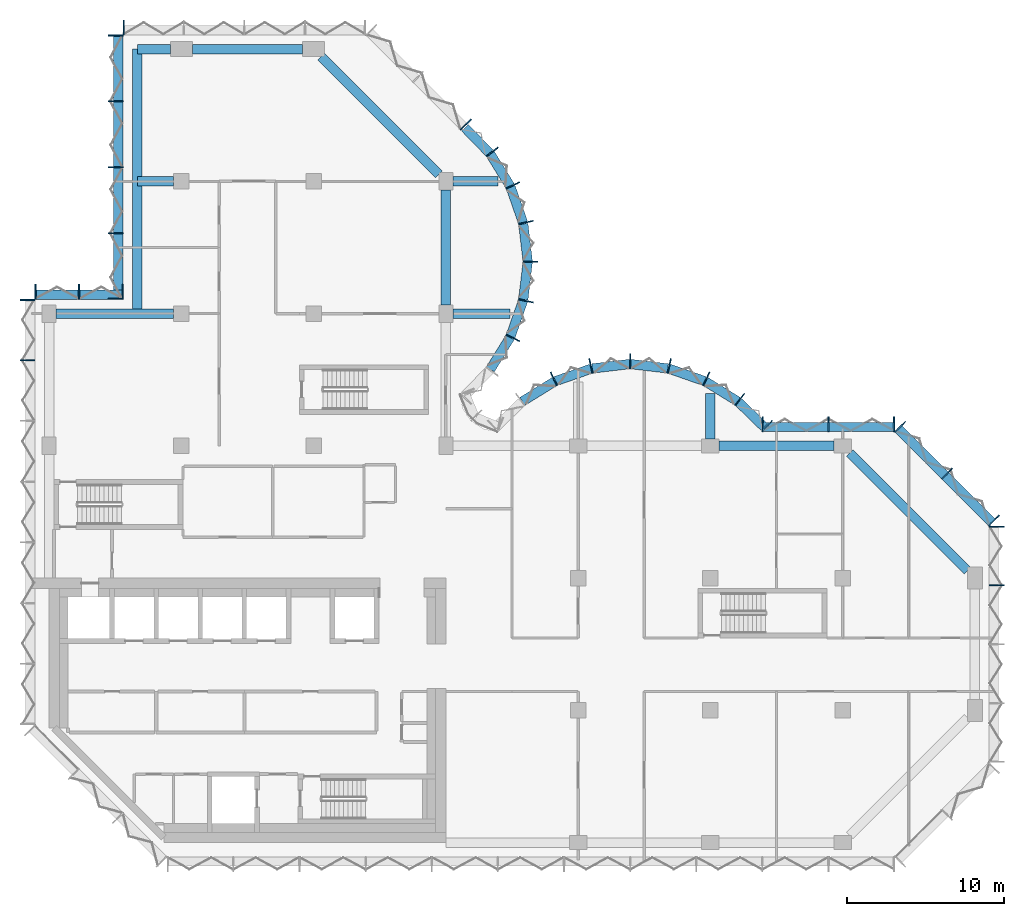
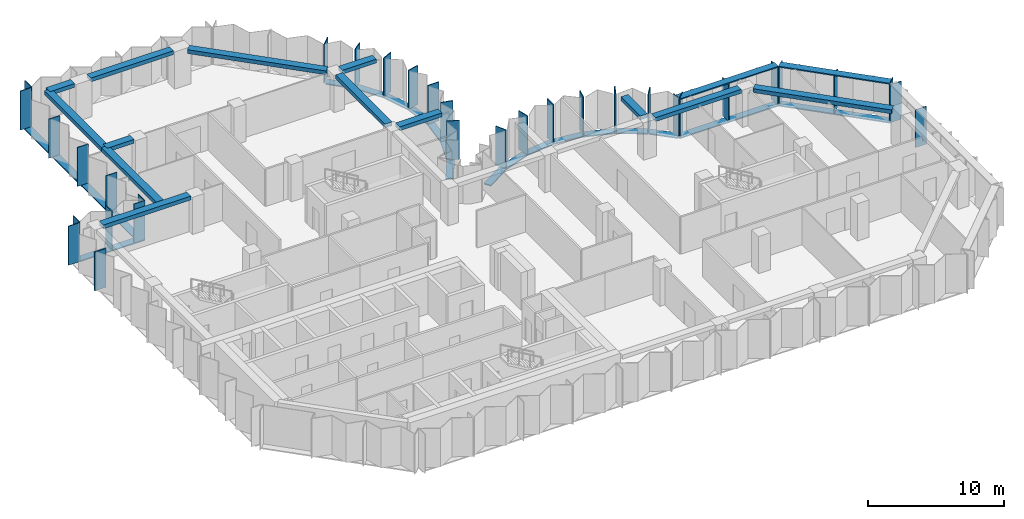
# One storey, part 2 of 10: 53 members, 13 beams, 9 elements without a shape of their own.
"""IFC4 building model written with IfcOpenShell, lengths in metres."""

from ifc_helpers import new_model, si_unit, direction, frame, origin, origin_2d, place, context, subcontext, project, spatial, rectangle, extrude, material, material_profile, profile_set, type_object, element, aggregate, save


model = new_model("IFC4")

# Units and contexts
model_context = context("Model", 3, precision=1e-05, world=origin(), true_north=direction((0.0, 1.0)))
body_context = subcontext(model_context, "Body", "Model", "MODEL_VIEW")
ifc_project = project(units=[si_unit("LENGTHUNIT", "METRE"), si_unit("AREAUNIT", "SQUARE_METRE"), si_unit("VOLUMEUNIT", "CUBIC_METRE"), si_unit("PLANEANGLEUNIT", "RADIAN"), si_unit("MASSUNIT", "GRAM", prefix="KILO")], contexts=[model_context])

# Site, building, storey
site_placement = place(None, origin())
site = spatial("IfcSite", under=ifc_project, at=site_placement, CompositionType="ELEMENT")
building_placement = place(site_placement, origin())
building = spatial("IfcBuilding", under=site, at=building_placement, Name="Brevane Broadcast Tower", CompositionType="ELEMENT")
storey_placement = place(building_placement, frame((0.0, 0.0, 181.199951171875)))
storey = spatial("IfcBuildingStorey", under=building, at=storey_placement, Name="L45", CompositionType="ELEMENT", Elevation=181.199951171875)

# Curtain wall, members
ifc_material_1 = material(Name="Aluminium 6063-T6 bronze anodised", Category="aluminium")
curtain_wall_type = type_object("IfcCurtainWallType", Name="CW-1 curtain wall", PredefinedType="NOTDEFINED", material=ifc_material_1)
curtain_wall_1_placement = place(storey_placement, origin())
curtain_wall_1 = element("IfcCurtainWall", 1, at=curtain_wall_1_placement, inside=storey, type_object=curtain_wall_type, Name="CW-1 typical tilted unit L45 east end", PredefinedType="NOTDEFINED")
ifc_material_profile_1 = material_profile(ifc_material_1, rectangle(XDim=0.949951171875, YDim=0.070068359375, at=origin_2d()), Name="RECT 70x950")
ifc_profile_set_1 = profile_set([ifc_material_profile_1], Name="Aluminium 6063-T6 bronze anodised")
member_type_1 = type_object("IfcMemberType", Name="CW-1 mullion 70x950", PredefinedType="MULLION", material=ifc_profile_set_1)
member_1_placement = place(storey_placement, frame((60.175048828125, 16.35009765625, -0.14990234375), z_axis=(0.0, 0.0, 1.0), x_axis=(-1.0, 0.0, 0.0)))
member_1 = element("IfcMember", 2, at=member_1_placement, type_object=member_type_1, Name="CW-1 mullion", PredefinedType="MULLION", context=body_context, shape_type="SweptSolid", body=[
    extrude(rectangle(XDim=0.949951171875, YDim=0.070068359375, at=origin_2d()), origin(), (0.0, 0.0, 1.0), 3.39990234375),
])
member_2_placement = place(storey_placement, frame((60.175048828125, 20.06494140625, -0.14990234375), z_axis=(0.0, 0.0, 1.0), x_axis=(-1.0, 0.0, 0.0)))
member_2 = element("IfcMember", 3, at=member_2_placement, type_object=member_type_1, Name="CW-1 mullion", PredefinedType="MULLION", context=body_context, shape_type="SweptSolid", body=[
    extrude(rectangle(XDim=0.949951171875, YDim=0.070068359375, at=origin_2d()), origin(), (0.0, 0.0, 1.0), 3.39990234375),
])
aggregate(curtain_wall_1, [member_1, member_2])

curtain_wall_2_placement = place(storey_placement, origin())
curtain_wall_2 = element("IfcCurtainWall", 4, at=curtain_wall_2_placement, inside=storey, type_object=curtain_wall_type, Name="CW-1 typical tilted unit L45 north-east chamfer", PredefinedType="NOTDEFINED")
member_3_placement = place(storey_placement, frame((60.01123046875, 20.460693359375, -0.14990234375), z_axis=(0.0, 0.0, 1.0), x_axis=(-0.707106781187, -0.707106781187, 0.0)))
member_3 = element("IfcMember", 5, at=member_3_placement, type_object=member_type_1, Name="CW-1 mullion", PredefinedType="MULLION", context=body_context, shape_type="SweptSolid", body=[
    extrude(rectangle(XDim=0.949951171875, YDim=0.070068359375, at=origin_2d()), origin(), (0.0, 0.0, 1.0), 3.39990234375),
])
member_4_placement = place(storey_placement, frame((57.035888671875, 23.435791015625, -0.14990234375), z_axis=(0.0, 0.0, 1.0), x_axis=(-0.707106781187, -0.707106781187, 0.0)))
member_4 = element("IfcMember", 6, at=member_4_placement, type_object=member_type_1, Name="CW-1 mullion", PredefinedType="MULLION", context=body_context, shape_type="SweptSolid", body=[
    extrude(rectangle(XDim=0.949951171875, YDim=0.070068359375, at=origin_2d()), origin(), (0.0, 0.0, 1.0), 3.39990234375),
])
member_5_placement = place(storey_placement, frame((54.060546875, 26.4111328125, -0.14990234375), z_axis=(0.0, 0.0, 1.0), x_axis=(-0.707106781187, -0.707106781187, 0.0)))
member_5 = element("IfcMember", 7, at=member_5_placement, type_object=member_type_1, Name="CW-1 mullion", PredefinedType="MULLION", context=body_context, shape_type="SweptSolid", body=[
    extrude(rectangle(XDim=0.949951171875, YDim=0.070068359375, at=origin_2d()), origin(), (0.0, 0.0, 1.0), 3.39990234375),
])

curtain_wall_3_placement = place(storey_placement, origin())
curtain_wall_3 = element("IfcCurtainWall", 8, at=curtain_wall_3_placement, inside=storey, type_object=curtain_wall_type, Name="CW-1 typical tilted unit L45 east arm north face", PredefinedType="NOTDEFINED")
member_6_placement = place(storey_placement, frame((53.6650390625, 26.574951171875, -0.14990234375), z_axis=(0.0, 0.0, 1.0), x_axis=(0.0, -1.0, 0.0)))
member_6 = element("IfcMember", 9, at=member_6_placement, type_object=member_type_1, Name="CW-1 mullion", PredefinedType="MULLION", context=body_context, shape_type="SweptSolid", body=[
    extrude(rectangle(XDim=0.949951171875, YDim=0.070068359375, at=origin_2d()), origin(), (0.0, 0.0, 1.0), 3.39990234375),
])
member_7_placement = place(storey_placement, frame((49.5, 26.574951171875, -0.14990234375), z_axis=(0.0, 0.0, 1.0), x_axis=(0.0, -1.0, 0.0)))
member_7 = element("IfcMember", 10, at=member_7_placement, type_object=member_type_1, Name="CW-1 mullion", PredefinedType="MULLION", context=body_context, shape_type="SweptSolid", body=[
    extrude(rectangle(XDim=0.949951171875, YDim=0.070068359375, at=origin_2d()), origin(), (0.0, 0.0, 1.0), 3.39990234375),
])
member_8_placement = place(storey_placement, frame((45.3349609375, 26.574951171875, -0.14990234375), z_axis=(0.0, 0.0, 1.0), x_axis=(0.0, -1.0, 0.0)))
member_8 = element("IfcMember", 11, at=member_8_placement, type_object=member_type_1, Name="CW-1 mullion", PredefinedType="MULLION", context=body_context, shape_type="SweptSolid", body=[
    extrude(rectangle(XDim=0.949951171875, YDim=0.070068359375, at=origin_2d()), origin(), (0.0, 0.0, 1.0), 3.39990234375),
])

curtain_wall_4_placement = place(storey_placement, origin())
curtain_wall_4 = element("IfcCurtainWall", 12, at=curtain_wall_4_placement, inside=storey, type_object=curtain_wall_type, Name="CW-1 typical tilted unit L45 east bow", PredefinedType="NOTDEFINED")
member_9_placement = place(storey_placement, frame((45.60595703125, 26.465087890625, -0.14990234375), z_axis=(0.0, 0.0, 1.0), x_axis=(-0.696812089895, -0.717253728729, 0.0)))
member_9 = element("IfcMember", 13, at=member_9_placement, type_object=member_type_1, Name="CW-1 mullion", PredefinedType="MULLION", context=body_context, shape_type="SweptSolid", body=[
    extrude(rectangle(XDim=0.949951171875, YDim=0.070068359375, at=origin_2d()), origin(), (0.0, 0.0, 1.0), 3.5),
])
member_10_placement = place(storey_placement, frame((43.8720703125, 28.1455078125, -0.14990234375), z_axis=(0.0, 0.0, 1.0), x_axis=(-0.614769698862, -0.788706673841, 0.0)))
member_10 = element("IfcMember", 14, at=member_10_placement, type_object=member_type_1, Name="CW-1 mullion", PredefinedType="MULLION", context=body_context, shape_type="SweptSolid", body=[
    extrude(rectangle(XDim=0.949951171875, YDim=0.070068359375, at=origin_2d()), origin(), (0.0, 0.0, 1.0), 3.5),
])
member_11_placement = place(storey_placement, frame((41.746826171875, 29.4580078125, -0.14990234375), z_axis=(0.0, 0.0, 1.0), x_axis=(-0.429933580394, -0.902860518823, 0.0)))
member_11 = element("IfcMember", 15, at=member_11_placement, type_object=member_type_1, Name="CW-1 mullion", PredefinedType="MULLION", context=body_context, shape_type="SweptSolid", body=[
    extrude(rectangle(XDim=0.949951171875, YDim=0.070068359375, at=origin_2d()), origin(), (0.0, 0.0, 1.0), 3.5),
])
member_12_placement = place(storey_placement, frame((39.38818359375, 30.28076171875, -0.14990234375), z_axis=(0.0, 0.0, 1.0), x_axis=(-0.224806535479, -0.974403418306, 0.0)))
member_12 = element("IfcMember", 16, at=member_12_placement, type_object=member_type_1, Name="CW-1 mullion", PredefinedType="MULLION", context=body_context, shape_type="SweptSolid", body=[
    extrude(rectangle(XDim=0.949951171875, YDim=0.070068359375, at=origin_2d()), origin(), (0.0, 0.0, 1.0), 3.5),
])
member_13_placement = place(storey_placement, frame((36.89990234375, 30.574951171875, -0.14990234375), z_axis=(0.0, 0.0, 1.0), x_axis=(0.0, -1.0, 0.0)))
member_13 = element("IfcMember", 17, at=member_13_placement, type_object=member_type_1, Name="CW-1 mullion", PredefinedType="MULLION", context=body_context, shape_type="SweptSolid", body=[
    extrude(rectangle(XDim=0.949951171875, YDim=0.070068359375, at=origin_2d()), origin(), (0.0, 0.0, 1.0), 3.5),
])
member_14_placement = place(storey_placement, frame((34.411865234375, 30.28076171875, -0.14990234375), z_axis=(0.0, 0.0, 1.0), x_axis=(0.224806535479, -0.974403418306, 0.0)))
member_14 = element("IfcMember", 18, at=member_14_placement, type_object=member_type_1, Name="CW-1 mullion", PredefinedType="MULLION", context=body_context, shape_type="SweptSolid", body=[
    extrude(rectangle(XDim=0.949951171875, YDim=0.070068359375, at=origin_2d()), origin(), (0.0, 0.0, 1.0), 3.5),
])
member_15_placement = place(storey_placement, frame((32.05322265625, 29.4580078125, -0.14990234375), z_axis=(0.0, 0.0, 1.0), x_axis=(0.429933580394, -0.902860518823, 0.0)))
member_15 = element("IfcMember", 19, at=member_15_placement, type_object=member_type_1, Name="CW-1 mullion", PredefinedType="MULLION", context=body_context, shape_type="SweptSolid", body=[
    extrude(rectangle(XDim=0.949951171875, YDim=0.070068359375, at=origin_2d()), origin(), (0.0, 0.0, 1.0), 3.5),
])

curtain_wall_5_placement = place(storey_placement, origin())
curtain_wall_5 = element("IfcCurtainWall", 20, at=curtain_wall_5_placement, inside=storey, type_object=curtain_wall_type, Name="CW-1 typical tilted unit L45 north bow", PredefinedType="NOTDEFINED")
member_16_placement = place(storey_placement, frame((29.4580078125, 32.05322265625, -0.14990234375), z_axis=(0.0, 0.0, 1.0), x_axis=(-0.902860518823, 0.429933580394, 0.0)))
member_16 = element("IfcMember", 21, at=member_16_placement, type_object=member_type_1, Name="CW-1 mullion", PredefinedType="MULLION", context=body_context, shape_type="SweptSolid", body=[
    extrude(rectangle(XDim=0.949951171875, YDim=0.070068359375, at=origin_2d()), origin(), (0.0, 0.0, 1.0), 3.5),
])
member_17_placement = place(storey_placement, frame((30.28076171875, 34.411865234375, -0.14990234375), z_axis=(0.0, 0.0, 1.0), x_axis=(-0.974403418306, 0.224806535479, 0.0)))
member_17 = element("IfcMember", 22, at=member_17_placement, type_object=member_type_1, Name="CW-1 mullion", PredefinedType="MULLION", context=body_context, shape_type="SweptSolid", body=[
    extrude(rectangle(XDim=0.949951171875, YDim=0.070068359375, at=origin_2d()), origin(), (0.0, 0.0, 1.0), 3.5),
])
member_18_placement = place(storey_placement, frame((30.574951171875, 36.89990234375, -0.14990234375), z_axis=(0.0, 0.0, 1.0), x_axis=(-1.0, 0.0, 0.0)))
member_18 = element("IfcMember", 23, at=member_18_placement, type_object=member_type_1, Name="CW-1 mullion", PredefinedType="MULLION", context=body_context, shape_type="SweptSolid", body=[
    extrude(rectangle(XDim=0.949951171875, YDim=0.070068359375, at=origin_2d()), origin(), (0.0, 0.0, 1.0), 3.5),
])
member_19_placement = place(storey_placement, frame((30.28076171875, 39.38818359375, -0.14990234375), z_axis=(0.0, 0.0, 1.0), x_axis=(-0.974403418306, -0.224806535479, 0.0)))
member_19 = element("IfcMember", 24, at=member_19_placement, type_object=member_type_1, Name="CW-1 mullion", PredefinedType="MULLION", context=body_context, shape_type="SweptSolid", body=[
    extrude(rectangle(XDim=0.949951171875, YDim=0.070068359375, at=origin_2d()), origin(), (0.0, 0.0, 1.0), 3.5),
])
member_20_placement = place(storey_placement, frame((29.4580078125, 41.746826171875, -0.14990234375), z_axis=(0.0, 0.0, 1.0), x_axis=(-0.902860518823, -0.429933580394, 0.0)))
member_20 = element("IfcMember", 25, at=member_20_placement, type_object=member_type_1, Name="CW-1 mullion", PredefinedType="MULLION", context=body_context, shape_type="SweptSolid", body=[
    extrude(rectangle(XDim=0.949951171875, YDim=0.070068359375, at=origin_2d()), origin(), (0.0, 0.0, 1.0), 3.5),
])
member_21_placement = place(storey_placement, frame((28.1455078125, 43.8720703125, -0.14990234375), z_axis=(0.0, 0.0, 1.0), x_axis=(-0.788706673841, -0.614769698862, 0.0)))
member_21 = element("IfcMember", 26, at=member_21_placement, type_object=member_type_1, Name="CW-1 mullion", PredefinedType="MULLION", context=body_context, shape_type="SweptSolid", body=[
    extrude(rectangle(XDim=0.949951171875, YDim=0.070068359375, at=origin_2d()), origin(), (0.0, 0.0, 1.0), 3.5),
])
member_22_placement = place(storey_placement, frame((26.465087890625, 45.60595703125, -0.14990234375), z_axis=(0.0, 0.0, 1.0), x_axis=(-0.717253728729, -0.696812089895, 0.0)))
member_22 = element("IfcMember", 27, at=member_22_placement, type_object=member_type_1, Name="CW-1 mullion", PredefinedType="MULLION", context=body_context, shape_type="SweptSolid", body=[
    extrude(rectangle(XDim=0.949951171875, YDim=0.070068359375, at=origin_2d()), origin(), (0.0, 0.0, 1.0), 3.5),
])

# Curtain wall, member
curtain_wall_6_placement = place(storey_placement, origin())
curtain_wall_6 = element("IfcCurtainWall", 28, at=curtain_wall_6_placement, inside=storey, type_object=curtain_wall_type, Name="CW-1 typical tilted unit L45 north end", PredefinedType="NOTDEFINED")
member_23_placement = place(storey_placement, frame((4.735107421875, 51.77490234375, -0.14990234375), z_axis=(0.0, 0.0, 1.0), x_axis=(0.0, -1.0, 0.0)))
member_23 = element("IfcMember", 29, at=member_23_placement, type_object=member_type_1, Name="CW-1 mullion", PredefinedType="MULLION", context=body_context, shape_type="SweptSolid", body=[
    extrude(rectangle(XDim=0.949951171875, YDim=0.070068359375, at=origin_2d()), origin(), (0.0, 0.0, 1.0), 3.5),
])
aggregate(curtain_wall_6, [member_23])

# Curtain wall, members
curtain_wall_7_placement = place(storey_placement, origin())
curtain_wall_7 = element("IfcCurtainWall", 30, at=curtain_wall_7_placement, inside=storey, type_object=curtain_wall_type, Name="CW-1 typical tilted unit L45 north wing west face, lower block", PredefinedType="NOTDEFINED")
member_24_placement = place(storey_placement, frame((4.22509765625, 51.264892578125, -0.14990234375), z_axis=(0.0, 0.0, 1.0), x_axis=(1.0, 0.0, 0.0)))
member_24 = element("IfcMember", 31, at=member_24_placement, type_object=member_type_1, Name="CW-1 mullion", PredefinedType="MULLION", context=body_context, shape_type="SweptSolid", body=[
    extrude(rectangle(XDim=0.949951171875, YDim=0.070068359375, at=origin_2d()), origin(), (0.0, 0.0, 1.0), 3.5),
])
member_25_placement = place(storey_placement, frame((4.22509765625, 47.10009765625, -0.14990234375), z_axis=(0.0, 0.0, 1.0), x_axis=(1.0, 0.0, 0.0)))
member_25 = element("IfcMember", 32, at=member_25_placement, type_object=member_type_1, Name="CW-1 mullion", PredefinedType="MULLION", context=body_context, shape_type="SweptSolid", body=[
    extrude(rectangle(XDim=0.949951171875, YDim=0.070068359375, at=origin_2d()), origin(), (0.0, 0.0, 1.0), 3.5),
])
member_26_placement = place(storey_placement, frame((4.22509765625, 42.89990234375, -0.14990234375), z_axis=(0.0, 0.0, 1.0), x_axis=(1.0, 0.0, 0.0)))
member_26 = element("IfcMember", 33, at=member_26_placement, type_object=member_type_1, Name="CW-1 mullion", PredefinedType="MULLION", context=body_context, shape_type="SweptSolid", body=[
    extrude(rectangle(XDim=0.949951171875, YDim=0.070068359375, at=origin_2d()), origin(), (0.0, 0.0, 1.0), 3.5),
])
member_27_placement = place(storey_placement, frame((4.22509765625, 38.699951171875, -0.14990234375), z_axis=(0.0, 0.0, 1.0), x_axis=(1.0, 0.0, 0.0)))
member_27 = element("IfcMember", 34, at=member_27_placement, type_object=member_type_1, Name="CW-1 mullion", PredefinedType="MULLION", context=body_context, shape_type="SweptSolid", body=[
    extrude(rectangle(XDim=0.949951171875, YDim=0.070068359375, at=origin_2d()), origin(), (0.0, 0.0, 1.0), 3.5),
])
member_28_placement = place(storey_placement, frame((4.22509765625, 34.534912109375, -0.14990234375), z_axis=(0.0, 0.0, 1.0), x_axis=(1.0, 0.0, 0.0)))
member_28 = element("IfcMember", 35, at=member_28_placement, type_object=member_type_1, Name="CW-1 mullion", PredefinedType="MULLION", context=body_context, shape_type="SweptSolid", body=[
    extrude(rectangle(XDim=0.949951171875, YDim=0.070068359375, at=origin_2d()), origin(), (0.0, 0.0, 1.0), 3.5),
])

curtain_wall_8_placement = place(storey_placement, origin())
curtain_wall_8 = element("IfcCurtainWall", 36, at=curtain_wall_8_placement, inside=storey, type_object=curtain_wall_type, Name="CW-1 typical tilted unit L45 north wing west return, lower block", PredefinedType="NOTDEFINED")
member_29_placement = place(storey_placement, frame((4.6650390625, 34.97509765625, -0.14990234375), z_axis=(0.0, 0.0, 1.0), x_axis=(0.0, -1.0, 0.0)))
member_29 = element("IfcMember", 37, at=member_29_placement, type_object=member_type_1, Name="CW-1 mullion", PredefinedType="MULLION", context=body_context, shape_type="SweptSolid", body=[
    extrude(rectangle(XDim=0.949951171875, YDim=0.070068359375, at=origin_2d()), origin(), (0.0, 0.0, 1.0), 3.5),
])
member_30_placement = place(storey_placement, frame((1.89990234375, 34.97509765625, -0.14990234375), z_axis=(0.0, 0.0, 1.0), x_axis=(0.0, -1.0, 0.0)))
member_30 = element("IfcMember", 38, at=member_30_placement, type_object=member_type_1, Name="CW-1 mullion", PredefinedType="MULLION", context=body_context, shape_type="SweptSolid", body=[
    extrude(rectangle(XDim=0.949951171875, YDim=0.070068359375, at=origin_2d()), origin(), (0.0, 0.0, 1.0), 3.5),
])
member_31_placement = place(storey_placement, frame((-0.864990234375, 34.97509765625, -0.14990234375), z_axis=(0.0, 0.0, 1.0), x_axis=(0.0, -1.0, 0.0)))
member_31 = element("IfcMember", 39, at=member_31_placement, type_object=member_type_1, Name="CW-1 mullion", PredefinedType="MULLION", context=body_context, shape_type="SweptSolid", body=[
    extrude(rectangle(XDim=0.949951171875, YDim=0.070068359375, at=origin_2d()), origin(), (0.0, 0.0, 1.0), 3.5),
])

curtain_wall_9_placement = place(storey_placement, origin())
curtain_wall_9 = element("IfcCurtainWall", 40, at=curtain_wall_9_placement, inside=storey, type_object=curtain_wall_type, Name="CW-1 typical tilted unit L45 west face", PredefinedType="NOTDEFINED")
member_32_placement = place(storey_placement, frame((-1.375, 34.465087890625, -0.14990234375), z_axis=(0.0, 0.0, 1.0), x_axis=(1.0, 0.0, 0.0)))
member_32 = element("IfcMember", 41, at=member_32_placement, type_object=member_type_1, Name="CW-1 mullion", PredefinedType="MULLION", context=body_context, shape_type="SweptSolid", body=[
    extrude(rectangle(XDim=0.949951171875, YDim=0.070068359375, at=origin_2d()), origin(), (0.0, 0.0, 1.0), 3.5),
])
member_33_placement = place(storey_placement, frame((-1.375, 30.642822265625, -0.14990234375), z_axis=(0.0, 0.0, 1.0), x_axis=(1.0, 0.0, 0.0)))
member_33 = element("IfcMember", 42, at=member_33_placement, type_object=member_type_1, Name="CW-1 mullion", PredefinedType="MULLION", context=body_context, shape_type="SweptSolid", body=[
    extrude(rectangle(XDim=0.949951171875, YDim=0.070068359375, at=origin_2d()), origin(), (0.0, 0.0, 1.0), 3.5),
])
aggregate(curtain_wall_9, [member_32, member_33])

# Member
ifc_material_profile_2 = material_profile(ifc_material_1, rectangle(XDim=0.60009765625, YDim=0.10009765625, at=origin_2d()), Name="RECT 100x600")
ifc_profile_set_2 = profile_set([ifc_material_profile_2], Name="Aluminium 6063-T6 bronze anodised")
member_type_2 = type_object("IfcMemberType", Name="CW-1 transom 100x600", PredefinedType="USERDEFINED", material=ifc_profile_set_2)
member_34_placement = place(storey_placement, frame((59.912109375, 20.31201171875, -0.199951171875), z_axis=(-0.707106781187, 0.707106781187, 0.0), x_axis=(-0.707106781187, -0.707106781187, 0.0)))
member_34 = element("IfcMember", 43, at=member_34_placement, type_object=member_type_2, Name="CW-1 transom", ObjectType="TRANSOM", PredefinedType="USERDEFINED", context=body_context, shape_type="SweptSolid", body=[
    extrude(rectangle(XDim=0.60009765625, YDim=0.10009765625, at=origin_2d()), origin(), (0.0, 0.0, 1.0), 8.4853515625),
])

member_35_placement = place(storey_placement, frame((59.912109375, 20.31201171875, 3.300048828125), z_axis=(-0.707106781187, 0.707106781187, 0.0), x_axis=(-0.707106781187, -0.707106781187, 0.0)))
member_35 = element("IfcMember", 44, at=member_35_placement, type_object=member_type_2, Name="CW-1 transom", ObjectType="TRANSOM", PredefinedType="USERDEFINED", context=body_context, shape_type="SweptSolid", body=[
    extrude(rectangle(XDim=0.60009765625, YDim=0.10009765625, at=origin_2d()), origin(), (0.0, 0.0, 1.0), 8.4853515625),
])

aggregate(curtain_wall_2, [member_3, member_4, member_5, member_34, member_35])

member_36_placement = place(storey_placement, frame((53.699951171875, 26.39990234375, -0.199951171875), z_axis=(-1.0, 0.0, 0.0), x_axis=(0.0, -1.0, 0.0)))
member_36 = element("IfcMember", 45, at=member_36_placement, type_object=member_type_2, Name="CW-1 transom", ObjectType="TRANSOM", PredefinedType="USERDEFINED", context=body_context, shape_type="SweptSolid", body=[
    extrude(rectangle(XDim=0.60009765625, YDim=0.10009765625, at=origin_2d()), origin(), (0.0, 0.0, 1.0), 8.39990234375),
])

member_37_placement = place(storey_placement, frame((53.699951171875, 26.39990234375, 3.300048828125), z_axis=(-1.0, 0.0, 0.0), x_axis=(0.0, -1.0, 0.0)))
member_37 = element("IfcMember", 46, at=member_37_placement, type_object=member_type_2, Name="CW-1 transom", ObjectType="TRANSOM", PredefinedType="USERDEFINED", context=body_context, shape_type="SweptSolid", body=[
    extrude(rectangle(XDim=0.60009765625, YDim=0.10009765625, at=origin_2d()), origin(), (0.0, 0.0, 1.0), 8.39990234375),
])

aggregate(curtain_wall_3, [member_6, member_7, member_8, member_36, member_37])

member_38_placement = place(storey_placement, frame((45.412841796875, 26.407958984375, -0.199951171875), z_axis=(-0.71724215871, 0.696823999134, 0.0), x_axis=(-0.696823999134, -0.71724215871, 0.0)))
member_38 = element("IfcMember", 47, at=member_38_placement, type_object=member_type_2, Name="CW-1 transom", ObjectType="TRANSOM", PredefinedType="USERDEFINED", context=body_context, shape_type="SweptSolid", body=[
    extrude(rectangle(XDim=0.60009765625, YDim=0.10009765625, at=origin_2d()), origin(), (0.0, 0.0, 1.0), 2.247802734375),
])

member_39_placement = place(storey_placement, frame((43.7421875, 28.023193359375, -0.199951171875), z_axis=(-0.850810063131, 0.525473345162, 0.0), x_axis=(-0.525473345162, -0.850810063131, 0.0)))
member_39 = element("IfcMember", 48, at=member_39_placement, type_object=member_type_2, Name="CW-1 transom", ObjectType="TRANSOM", PredefinedType="USERDEFINED", context=body_context, shape_type="SweptSolid", body=[
    extrude(rectangle(XDim=0.60009765625, YDim=0.10009765625, at=origin_2d()), origin(), (0.0, 0.0, 1.0), 2.39453125),
])

member_40_placement = place(storey_placement, frame((41.63623046875, 29.314208984375, -0.199951171875), z_axis=(-0.944197969542, 0.329378497041, 0.0), x_axis=(-0.329378497041, -0.944197969542, 0.0)))
member_40 = element("IfcMember", 49, at=member_40_placement, type_object=member_type_2, Name="CW-1 transom", ObjectType="TRANSOM", PredefinedType="USERDEFINED", context=body_context, shape_type="SweptSolid", body=[
    extrude(rectangle(XDim=0.60009765625, YDim=0.10009765625, at=origin_2d()), origin(), (0.0, 0.0, 1.0), 2.394775390625),
])

member_41_placement = place(storey_placement, frame((39.30029296875, 30.117431640625, -0.199951171875), z_axis=(-0.993062061831, 0.117591417, 0.0), x_axis=(-0.117591417, -0.993062061831, 0.0)))
member_41 = element("IfcMember", 50, at=member_41_placement, type_object=member_type_2, Name="CW-1 transom", ObjectType="TRANSOM", PredefinedType="USERDEFINED", context=body_context, shape_type="SweptSolid", body=[
    extrude(rectangle(XDim=0.60009765625, YDim=0.10009765625, at=origin_2d()), origin(), (0.0, 0.0, 1.0), 2.39794921875),
])

member_42_placement = place(storey_placement, frame((36.880859375, 30.3994140625, -0.199951171875), z_axis=(-0.993060653805, -0.117603307202, 0.0), x_axis=(0.117603307202, -0.993060653805, 0.0)))
member_42 = element("IfcMember", 51, at=member_42_placement, type_object=member_type_2, Name="CW-1 transom", ObjectType="TRANSOM", PredefinedType="USERDEFINED", context=body_context, shape_type="SweptSolid", body=[
    extrude(rectangle(XDim=0.60009765625, YDim=0.10009765625, at=origin_2d()), origin(), (0.0, 0.0, 1.0), 2.397705078125),
])

member_43_placement = place(storey_placement, frame((34.425048828125, 30.10302734375, -0.199951171875), z_axis=(-0.944197969542, -0.329378497041, 0.0), x_axis=(0.329378497041, -0.944197969542, 0.0)))
member_43 = element("IfcMember", 52, at=member_43_placement, type_object=member_type_2, Name="CW-1 transom", ObjectType="TRANSOM", PredefinedType="USERDEFINED", context=body_context, shape_type="SweptSolid", body=[
    extrude(rectangle(XDim=0.60009765625, YDim=0.10009765625, at=origin_2d()), origin(), (0.0, 0.0, 1.0), 2.394775390625),
])

member_44_placement = place(storey_placement, frame((32.09521484375, 29.281494140625, -0.199951171875), z_axis=(-0.850838211365, -0.525427766759, 0.0), x_axis=(0.525427766759, -0.850838211365, 0.0)))
member_44 = element("IfcMember", 53, at=member_44_placement, type_object=member_type_2, Name="CW-1 transom", ObjectType="TRANSOM", PredefinedType="USERDEFINED", context=body_context, shape_type="SweptSolid", body=[
    extrude(rectangle(XDim=0.60009765625, YDim=0.10009765625, at=origin_2d()), origin(), (0.0, 0.0, 1.0), 2.394775390625),
])

aggregate(curtain_wall_4, [member_9, member_10, member_11, member_12, member_13, member_14, member_15, member_38, member_39, member_40, member_41, member_42, member_43, member_44])

member_45_placement = place(storey_placement, frame((28.023193359375, 30.0576171875, -0.199951171875), z_axis=(0.525427766759, 0.850838211365, 0.0), x_axis=(-0.850838211365, 0.525427766759, 0.0)))
member_45 = element("IfcMember", 54, at=member_45_placement, type_object=member_type_2, Name="CW-1 transom", ObjectType="TRANSOM", PredefinedType="USERDEFINED", context=body_context, shape_type="SweptSolid", body=[
    extrude(rectangle(XDim=0.60009765625, YDim=0.10009765625, at=origin_2d()), origin(), (0.0, 0.0, 1.0), 2.394775390625),
])

member_46_placement = place(storey_placement, frame((29.314208984375, 32.163818359375, -0.199951171875), z_axis=(0.329378497041, 0.944197969542, 0.0), x_axis=(-0.944197969542, 0.329378497041, 0.0)))
member_46 = element("IfcMember", 55, at=member_46_placement, type_object=member_type_2, Name="CW-1 transom", ObjectType="TRANSOM", PredefinedType="USERDEFINED", context=body_context, shape_type="SweptSolid", body=[
    extrude(rectangle(XDim=0.60009765625, YDim=0.10009765625, at=origin_2d()), origin(), (0.0, 0.0, 1.0), 2.394775390625),
])

member_47_placement = place(storey_placement, frame((30.117431640625, 34.499755859375, -0.199951171875), z_axis=(0.117603307202, 0.993060653805, 0.0), x_axis=(-0.993060653805, 0.117603307202, 0.0)))
member_47 = element("IfcMember", 56, at=member_47_placement, type_object=member_type_2, Name="CW-1 transom", ObjectType="TRANSOM", PredefinedType="USERDEFINED", context=body_context, shape_type="SweptSolid", body=[
    extrude(rectangle(XDim=0.60009765625, YDim=0.10009765625, at=origin_2d()), origin(), (0.0, 0.0, 1.0), 2.397705078125),
])

member_48_placement = place(storey_placement, frame((30.3994140625, 36.9189453125, -0.199951171875), z_axis=(-0.117591417, 0.993062061831, 0.0), x_axis=(-0.993062061831, -0.117591417, 0.0)))
member_48 = element("IfcMember", 57, at=member_48_placement, type_object=member_type_2, Name="CW-1 transom", ObjectType="TRANSOM", PredefinedType="USERDEFINED", context=body_context, shape_type="SweptSolid", body=[
    extrude(rectangle(XDim=0.60009765625, YDim=0.10009765625, at=origin_2d()), origin(), (0.0, 0.0, 1.0), 2.39794921875),
])

member_49_placement = place(storey_placement, frame((30.10302734375, 39.375, -0.199951171875), z_axis=(-0.329378497041, 0.944197969542, 0.0), x_axis=(-0.944197969542, -0.329378497041, 0.0)))
member_49 = element("IfcMember", 58, at=member_49_placement, type_object=member_type_2, Name="CW-1 transom", ObjectType="TRANSOM", PredefinedType="USERDEFINED", context=body_context, shape_type="SweptSolid", body=[
    extrude(rectangle(XDim=0.60009765625, YDim=0.10009765625, at=origin_2d()), origin(), (0.0, 0.0, 1.0), 2.394775390625),
])

member_50_placement = place(storey_placement, frame((29.281494140625, 41.704833984375, -0.199951171875), z_axis=(-0.525473345162, 0.850810063131, 0.0), x_axis=(-0.850810063131, -0.525473345162, 0.0)))
member_50 = element("IfcMember", 59, at=member_50_placement, type_object=member_type_2, Name="CW-1 transom", ObjectType="TRANSOM", PredefinedType="USERDEFINED", context=body_context, shape_type="SweptSolid", body=[
    extrude(rectangle(XDim=0.60009765625, YDim=0.10009765625, at=origin_2d()), origin(), (0.0, 0.0, 1.0), 2.39453125),
])

member_51_placement = place(storey_placement, frame((27.974365234375, 43.800537109375, -0.199951171875), z_axis=(-0.696823999134, 0.71724215871, 0.0), x_axis=(-0.71724215871, -0.696823999134, 0.0)))
member_51 = element("IfcMember", 60, at=member_51_placement, type_object=member_type_2, Name="CW-1 transom", ObjectType="TRANSOM", PredefinedType="USERDEFINED", context=body_context, shape_type="SweptSolid", body=[
    extrude(rectangle(XDim=0.60009765625, YDim=0.10009765625, at=origin_2d()), origin(), (0.0, 0.0, 1.0), 2.247802734375),
])

aggregate(curtain_wall_5, [member_16, member_17, member_18, member_19, member_20, member_21, member_22, member_45, member_46, member_47, member_48, member_49, member_50, member_51])

member_52_placement = place(storey_placement, frame((4.39990234375, 51.300048828125, -0.199951171875), z_axis=(0.0, -1.0, 0.0), x_axis=(1.0, 0.0, 0.0)))
member_52 = element("IfcMember", 61, at=member_52_placement, type_object=member_type_2, Name="CW-1 transom", ObjectType="TRANSOM", PredefinedType="USERDEFINED", context=body_context, shape_type="SweptSolid", body=[
    extrude(rectangle(XDim=0.60009765625, YDim=0.10009765625, at=origin_2d()), origin(), (0.0, 0.0, 1.0), 16.800048828125),
])

aggregate(curtain_wall_7, [member_24, member_25, member_26, member_27, member_28, member_52])

member_53_placement = place(storey_placement, frame((4.699951171875, 34.800048828125, -0.199951171875), z_axis=(-1.0, 0.0, 0.0), x_axis=(0.0, -1.0, 0.0)))
member_53 = element("IfcMember", 62, at=member_53_placement, type_object=member_type_2, Name="CW-1 transom", ObjectType="TRANSOM", PredefinedType="USERDEFINED", context=body_context, shape_type="SweptSolid", body=[
    extrude(rectangle(XDim=0.60009765625, YDim=0.10009765625, at=origin_2d()), origin(), (0.0, 0.0, 1.0), 5.599853515625),
])

aggregate(curtain_wall_8, [member_29, member_30, member_31, member_53])

# Beams
ifc_material_2 = material(Name="Concrete C40/50", Category="concrete")
ifc_material_profile_3 = material_profile(ifc_material_2, rectangle(XDim=0.60009765625, YDim=0.35009765625, at=origin_2d()), Name="RC 600x350")
ifc_profile_set_3 = profile_set([ifc_material_profile_3], Name="Concrete C40/50")
beam_type_1 = type_object("IfcBeamType", Name="RC BRACKET BEAM 600x350 C40/50", PredefinedType="BEAM", material=ifc_profile_set_3)
beam_1_placement = place(storey_placement, frame((25.64990234375, 33.60009765625, 3.175048828125), z_axis=(1.0, 0.0, 0.0), x_axis=(0.0, 1.0, 0.0)))
element("IfcBeam", 63, at=beam_1_placement, inside=storey, type_object=beam_type_1, Name="EB2 L45-1", PredefinedType="BEAM", context=body_context, shape_type="SweptSolid", body=[
    extrude(rectangle(XDim=0.60009765625, YDim=0.35009765625, at=origin_2d()), origin(), (0.0, 0.0, 1.0), 3.612060546875),
])
for number, where, z_axis, x_axis, name in (
    (64, (25.64990234375, 42.0, 3.175048828125), (1.0, 0.0, 0.0), (0.0, 1.0, 0.0), "EB2 L45-2"),
    (65, (42.0, 25.64990234375, 3.175048828125), (0.0, 1.0, 0.0), (-1.0, 0.0, 0.0), "EB2 L45-4"),
):
    element("IfcBeam", number, at=place(storey_placement, frame(where, z_axis=z_axis, x_axis=x_axis)), inside=storey, type_object=beam_type_1, Name=name, PredefinedType="BEAM", context=body_context, shape_type="SweptSolid", body=[
        extrude(rectangle(XDim=0.60009765625, YDim=0.35009765625, at=origin_2d()), origin(), (0.0, 0.0, 1.0), 2.861572265625),
    ])
beam_2_placement = place(storey_placement, frame((7.89990234375, 42.0, 3.175048828125), z_axis=(-1.0, 0.0, 0.0), x_axis=(0.0, -1.0, 0.0)))
element("IfcBeam", 66, at=beam_2_placement, inside=storey, type_object=beam_type_1, Name="EB2 L45-5", PredefinedType="BEAM", context=body_context, shape_type="SweptSolid", body=[
    extrude(rectangle(XDim=0.60009765625, YDim=0.35009765625, at=origin_2d()), origin(), (0.0, 0.0, 1.0), 2.2998046875),
])
ifc_material_profile_4 = material_profile(ifc_material_2, rectangle(XDim=0.60009765625, YDim=0.35009765625, at=origin_2d()), Name="RC 600x350")
ifc_profile_set_4 = profile_set([ifc_material_profile_4], Name="Concrete C40/50")
beam_type_2 = type_object("IfcBeamType", Name="RC SPANDREL BEAM 600x350 C40/50", PredefinedType="SPANDREL", material=ifc_profile_set_4)
beam_3_placement = place(storey_placement, frame((58.324951171875, 17.27490234375, 3.175048828125), z_axis=(-0.707095233664, 0.707118328521, 0.0), x_axis=(-0.707118328521, -0.707095233664, 0.0)))
element("IfcBeam", 67, at=beam_3_placement, inside=storey, type_object=beam_type_2, Name="EB1 L45-6", PredefinedType="SPANDREL", context=body_context, shape_type="SweptSolid", body=[
    extrude(rectangle(XDim=0.60009765625, YDim=0.35009765625, at=origin_2d()), origin(), (0.0, 0.0, 1.0), 10.5712890625),
])
for number, where, z_axis, x_axis, name in (
    (68, (49.85009765625, 25.199951171875, 3.175048828125), (-1.0, 0.0, 0.0), (0.0, -1.0, 0.0), "EB1 L45-7"),
    (69, (25.199951171875, 34.14990234375, 3.175048828125), (0.0, 1.0, 0.0), (-1.0, 0.0, 0.0), "EB1 L45-11"),
):
    element("IfcBeam", number, at=place(storey_placement, frame(where, z_axis=z_axis, x_axis=x_axis)), inside=storey, type_object=beam_type_2, Name=name, PredefinedType="SPANDREL", context=body_context, shape_type="SweptSolid", body=[
        extrude(rectangle(XDim=0.60009765625, YDim=0.35009765625, at=origin_2d()), origin(), (0.0, 0.0, 1.0), 7.300048828125),
    ])
beam_4_placement = place(storey_placement, frame((24.75, 42.449951171875, 3.175048828125), z_axis=(-0.707106781187, 0.707106781187, 0.0), x_axis=(-0.707106781187, -0.707106781187, 0.0)))
element("IfcBeam", 70, at=beam_4_placement, inside=storey, type_object=beam_type_2, Name="EB1 L45-12", PredefinedType="SPANDREL", context=body_context, shape_type="SweptSolid", body=[
    extrude(rectangle(XDim=0.60009765625, YDim=0.35009765625, at=origin_2d()), origin(), (0.0, 0.0, 1.0), 10.5712890625),
])
beam_5_placement = place(storey_placement, frame((16.10009765625, 50.39990234375, 3.175048828125), z_axis=(-1.0, 0.0, 0.0), x_axis=(0.0, -1.0, 0.0)))
element("IfcBeam", 71, at=beam_5_placement, inside=storey, type_object=beam_type_2, Name="EB1 L45-13", PredefinedType="SPANDREL", context=body_context, shape_type="SweptSolid", body=[
    extrude(rectangle(XDim=0.60009765625, YDim=0.35009765625, at=origin_2d()), origin(), (0.0, 0.0, 1.0), 7.0),
])
beam_6_placement = place(storey_placement, frame((0.449951171875, 33.60009765625, 3.175048828125), z_axis=(1.0, 0.0, 0.0), x_axis=(0.0, 1.0, 0.0)))
element("IfcBeam", 72, at=beam_6_placement, inside=storey, type_object=beam_type_2, Name="EB1 L45-16", PredefinedType="SPANDREL", context=body_context, shape_type="SweptSolid", body=[
    extrude(rectangle(XDim=0.60009765625, YDim=0.35009765625, at=origin_2d()), origin(), (0.0, 0.0, 1.0), 7.449951171875),
])
for number, where, z_axis, x_axis, name in (
    (73, (5.60009765625, 33.60009765625, 3.175048828125), (0.0, 1.0, 0.0), (-1.0, 0.0, 0.0), "EB1 L45-17"),
    (74, (5.60009765625, 42.0, 3.175048828125), (0.0, 1.0, 0.0), (-1.0, 0.0, 0.0), "EB1 L45-18"),
):
    element("IfcBeam", number, at=place(storey_placement, frame(where, z_axis=z_axis, x_axis=x_axis)), inside=storey, type_object=beam_type_2, Name=name, PredefinedType="SPANDREL", context=body_context, shape_type="SweptSolid", body=[
        extrude(rectangle(XDim=0.60009765625, YDim=0.35009765625, at=origin_2d()), origin(), (0.0, 0.0, 1.0), 8.39990234375),
    ])
beam_7_placement = place(storey_placement, frame((5.60009765625, 50.39990234375, 3.175048828125), z_axis=(1.0, 0.0, 0.0), x_axis=(0.0, 1.0, 0.0)))
element("IfcBeam", 75, at=beam_7_placement, inside=storey, type_object=beam_type_2, Name="EB1 L45-19", PredefinedType="SPANDREL", context=body_context, shape_type="SweptSolid", body=[
    extrude(rectangle(XDim=0.60009765625, YDim=0.35009765625, at=origin_2d()), origin(), (0.0, 0.0, 1.0), 2.099853515625),
])

save(model, "model.ifc")
